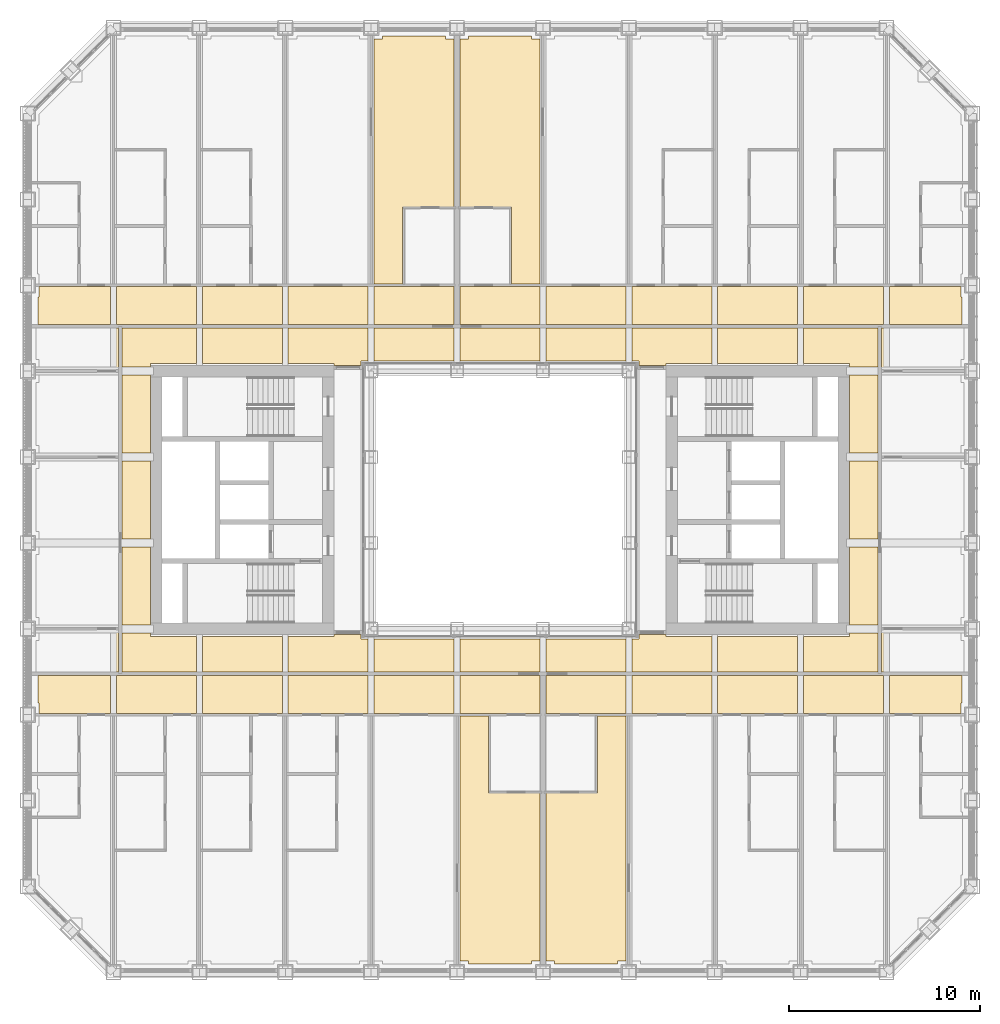
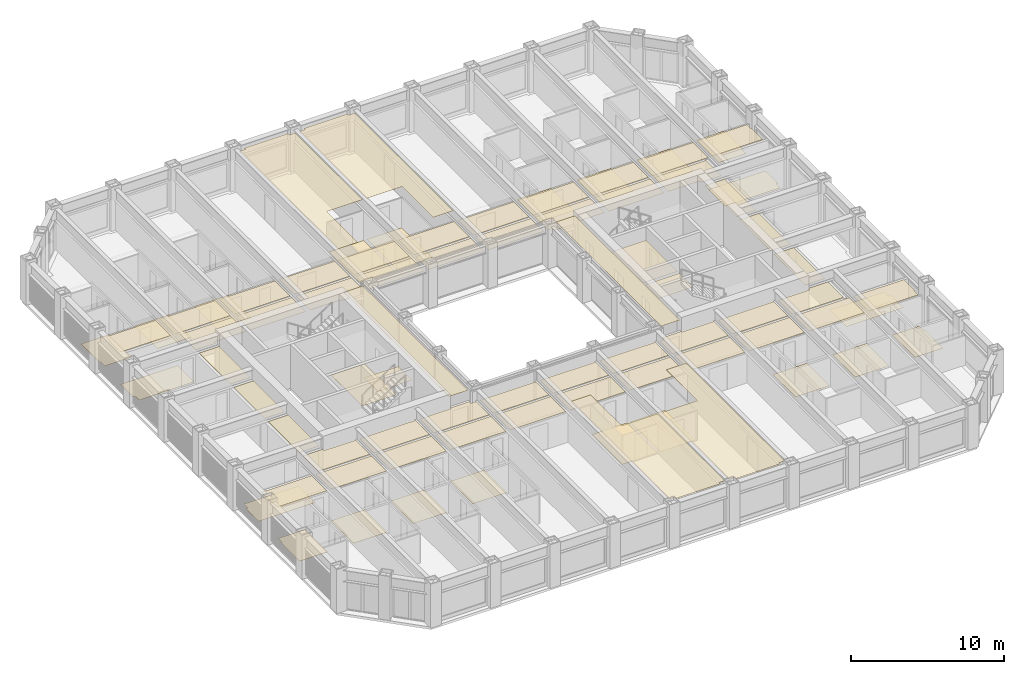
# One storey, part 19 of 21: 4 coverings.
"""IFC4 building model written with IfcOpenShell, lengths in metres."""

from ifc_helpers import new_model, si_unit, direction, frame, origin, place, context, subcontext, project, spatial, line, indexed_curve, outline, extrude, material, layer, layer_set, type_object, element, save


model = new_model("IFC4")

# Units and contexts
model_context = context("Model", 3, precision=1e-05, world=origin(), true_north=direction((0.0, 1.0)))
body_context = subcontext(model_context, "Body", "Model", "MODEL_VIEW")
ifc_project = project(units=[si_unit("LENGTHUNIT", "METRE"), si_unit("AREAUNIT", "SQUARE_METRE"), si_unit("VOLUMEUNIT", "CUBIC_METRE"), si_unit("PLANEANGLEUNIT", "RADIAN"), si_unit("MASSUNIT", "GRAM", prefix="KILO")], contexts=[model_context])

# Site, building, storey
site_placement = place(None, origin())
site = spatial("IfcSite", under=ifc_project, at=site_placement, CompositionType="ELEMENT")
building_placement = place(site_placement, origin())
building = spatial("IfcBuilding", under=site, at=building_placement, Name="Msasa Ring Tower", CompositionType="ELEMENT")
storey_placement = place(building_placement, frame((0.0, 0.0, 82.5)))
storey = spatial("IfcBuildingStorey", under=building, at=storey_placement, Name="L21", CompositionType="ELEMENT", Elevation=82.5)

# Coverings
ifc_material_1 = material(Name="Gypsum plasterboard on a steel suspension grid", Category="steel")
ifc_layer_1 = layer(ifc_material_1, 0.014892578125)
ifc_layer_set_1 = layer_set([ifc_layer_1], Name="C1 SUSPENDED PLASTERBOARD CEILING 15")
covering_type_1 = type_object("IfcCoveringType", Name="C1 SUSPENDED PLASTERBOARD CEILING 15", PredefinedType="CEILING", material=ifc_layer_set_1)
covering_1_placement = place(storey_placement, frame((0.0, 0.0, 2.39990234375)))
element("IfcCovering", 1, at=covering_1_placement, inside=storey, type_object=covering_type_1, Name="Suspended Plasterboard Ceiling 15 circulation L21", PredefinedType="CEILING", context=body_context, shape_type="SweptSolid", body=[
    extrude(outline(indexed_curve([(-24.1494140625, -11.18701171875), (-24.1494140625, -10.6494140625), (-24.199462890625, -10.6494140625), (-24.199462890625, -9.200439453125), (-20.404296875, -9.200439453125), (-20.404296875, -11.18701171875)], segments=[line(1, 2, 3, 4, 5, 6, 1)], self_intersect=False)), origin(), (0.0, 0.0, 1.0), 0.01513671875),
    extrude(outline(indexed_curve([(-24.199462890625, 9.200439453125), (-24.199462890625, 10.6494140625), (-24.1494140625, 10.6494140625), (-24.1494140625, 11.18701171875), (-20.404296875, 11.18701171875), (-20.404296875, 9.200439453125)], segments=[line(1, 2, 3, 4, 5, 6, 1)], self_intersect=False)), origin(), (0.0, 0.0, 1.0), 0.01513671875),
    extrude(outline(indexed_curve([(-20.095703125, -11.18701171875), (-20.095703125, -9.200439453125), (-15.904296875, -9.200439453125), (-15.904296875, -11.18701171875)], segments=[line(1, 2, 3, 4, 1)], self_intersect=False)), origin(), (0.0, 0.0, 1.0), 0.01513671875),
    extrude(outline(indexed_curve([(-20.095703125, 9.200439453125), (-20.095703125, 11.18701171875), (-15.904296875, 11.18701171875), (-15.904296875, 9.200439453125)], segments=[line(1, 2, 3, 4, 1)], self_intersect=False)), origin(), (0.0, 0.0, 1.0), 0.01513671875),
    extrude(outline(indexed_curve([(-19.799560546875, -8.99951171875), (-19.799560546875, -6.960693359375), (-18.300537109375, -6.960693359375), (-18.300537109375, -7.150390625), (-15.904296875, -7.150390625), (-15.904296875, -8.99951171875)], segments=[line(1, 2, 3, 4, 5, 6, 1)], self_intersect=False)), origin(), (0.0, 0.0, 1.0), 0.01513671875),
    extrude(outline(indexed_curve([(-19.799560546875, -2.460693359375), (-18.300537109375, -2.460693359375), (-18.300537109375, -6.539306640625), (-19.799560546875, -6.539306640625)], segments=[line(1, 2, 3, 4, 1)], self_intersect=False)), origin(), (0.0, 0.0, 1.0), 0.01513671875),
    extrude(outline(indexed_curve([(-19.799560546875, 2.039306640625), (-18.300537109375, 2.039306640625), (-18.300537109375, -2.039306640625), (-19.799560546875, -2.039306640625)], segments=[line(1, 2, 3, 4, 1)], self_intersect=False)), origin(), (0.0, 0.0, 1.0), 0.01513671875),
    extrude(outline(indexed_curve([(-19.799560546875, 6.539306640625), (-18.300537109375, 6.539306640625), (-18.300537109375, 2.460693359375), (-19.799560546875, 2.460693359375)], segments=[line(1, 2, 3, 4, 1)], self_intersect=False)), origin(), (0.0, 0.0, 1.0), 0.01513671875),
    extrude(outline(indexed_curve([(-19.799560546875, 8.99951171875), (-15.904296875, 8.99951171875), (-15.904296875, 7.150390625), (-18.300537109375, 7.150390625), (-18.300537109375, 6.960693359375), (-19.799560546875, 6.960693359375)], segments=[line(1, 2, 3, 4, 5, 6, 1)], self_intersect=False)), origin(), (0.0, 0.0, 1.0), 0.01513671875),
    extrude(outline(indexed_curve([(-15.595703125, -11.18701171875), (-15.595703125, -9.200439453125), (-11.404296875, -9.200439453125), (-11.404296875, -11.18701171875)], segments=[line(1, 2, 3, 4, 1)], self_intersect=False)), origin(), (0.0, 0.0, 1.0), 0.01513671875),
    extrude(outline(indexed_curve([(-15.595703125, -8.99951171875), (-15.595703125, -7.150390625), (-11.404296875, -7.150390625), (-11.404296875, -8.99951171875)], segments=[line(1, 2, 3, 4, 1)], self_intersect=False)), origin(), (0.0, 0.0, 1.0), 0.01513671875),
    extrude(outline(indexed_curve([(-11.404296875, 8.99951171875), (-11.404296875, 7.150390625), (-15.595703125, 7.150390625), (-15.595703125, 8.99951171875)], segments=[line(1, 2, 3, 4, 1)], self_intersect=False)), origin(), (0.0, 0.0, 1.0), 0.01513671875),
    extrude(outline(indexed_curve([(-15.595703125, 9.200439453125), (-15.595703125, 11.18701171875), (-11.404296875, 11.18701171875), (-11.404296875, 9.200439453125)], segments=[line(1, 2, 3, 4, 1)], self_intersect=False)), origin(), (0.0, 0.0, 1.0), 0.01513671875),
    extrude(outline(indexed_curve([(-11.87451171875, -3.074462890625), (-11.87451171875, -1.275390625), (-9.300537109375, -1.275390625), (-9.300537109375, -3.074462890625)], segments=[line(1, 2, 3, 4, 1)], self_intersect=False)), origin(), (0.0, 0.0, 1.0), 0.01513671875),
    extrude(outline(indexed_curve([(-11.095703125, -11.18701171875), (-11.095703125, -9.200439453125), (-6.904296875, -9.200439453125), (-6.904296875, -11.18701171875)], segments=[line(1, 2, 3, 4, 1)], self_intersect=False)), origin(), (0.0, 0.0, 1.0), 0.01513671875),
    extrude(outline(indexed_curve([(-11.095703125, -8.99951171875), (-11.095703125, -7.150390625), (-8.699462890625, -7.150390625), (-8.699462890625, -7.050537109375), (-7.280029296875, -7.050537109375), (-7.275390625, -7.275390625), (-6.904296875, -7.280029296875), (-6.904296875, -8.99951171875)], segments=[line(1, 2, 3, 4, 5, 6, 7, 8, 1)], self_intersect=False)), origin(), (0.0, 0.0, 1.0), 0.01513671875),
    extrude(outline(indexed_curve([(-6.904296875, 8.99951171875), (-6.904296875, 7.280029296875), (-7.275390625, 7.275390625), (-7.280029296875, 7.050537109375), (-8.699462890625, 7.050537109375), (-8.699462890625, 7.150390625), (-11.095703125, 7.150390625), (-11.095703125, 8.99951171875)], segments=[line(1, 2, 3, 4, 5, 6, 7, 8, 1)], self_intersect=False)), origin(), (0.0, 0.0, 1.0), 0.01513671875),
    extrude(outline(indexed_curve([(-11.095703125, 9.200439453125), (-11.095703125, 11.18701171875), (-6.904296875, 11.18701171875), (-6.904296875, 9.200439453125)], segments=[line(1, 2, 3, 4, 1)], self_intersect=False)), origin(), (0.0, 0.0, 1.0), 0.01513671875),
    extrude(outline(indexed_curve([(-6.595703125, -11.18701171875), (-6.595703125, -9.200439453125), (-2.404296875, -9.200439453125), (-2.404296875, -11.18701171875)], segments=[line(1, 2, 3, 4, 1)], self_intersect=False)), origin(), (0.0, 0.0, 1.0), 0.01513671875),
    extrude(outline(indexed_curve([(-6.595703125, -8.99951171875), (-6.595703125, -7.280029296875), (-2.404296875, -7.280029296875), (-2.404296875, -8.99951171875)], segments=[line(1, 2, 3, 4, 1)], self_intersect=False)), origin(), (0.0, 0.0, 1.0), 0.01513671875),
    extrude(outline(indexed_curve([(-2.404296875, 8.99951171875), (-2.404296875, 7.280029296875), (-6.595703125, 7.280029296875), (-6.595703125, 8.99951171875)], segments=[line(1, 2, 3, 4, 1)], self_intersect=False)), origin(), (0.0, 0.0, 1.0), 0.01513671875),
    extrude(outline(indexed_curve([(-6.595703125, 9.200439453125), (-6.595703125, 11.18701171875), (-2.404296875, 11.18701171875), (-2.404296875, 9.200439453125)], segments=[line(1, 2, 3, 4, 1)], self_intersect=False)), origin(), (0.0, 0.0, 1.0), 0.01513671875),
    extrude(outline(indexed_curve([(-2.095703125, -11.18701171875), (-2.095703125, -9.200439453125), (2.095703125, -9.200439453125), (2.095703125, -11.18701171875)], segments=[line(1, 2, 3, 4, 1)], self_intersect=False)), origin(), (0.0, 0.0, 1.0), 0.01513671875),
    extrude(outline(indexed_curve([(-2.095703125, -8.99951171875), (-2.095703125, -7.280029296875), (2.095703125, -7.280029296875), (2.095703125, -8.99951171875)], segments=[line(1, 2, 3, 4, 1)], self_intersect=False)), origin(), (0.0, 0.0, 1.0), 0.01513671875),
    extrude(outline(indexed_curve([(2.095703125, 8.99951171875), (2.095703125, 7.280029296875), (-2.095703125, 7.280029296875), (-2.095703125, 8.99951171875)], segments=[line(1, 2, 3, 4, 1)], self_intersect=False)), origin(), (0.0, 0.0, 1.0), 0.01513671875),
    extrude(outline(indexed_curve([(-2.095703125, 9.200439453125), (-2.095703125, 11.18701171875), (2.095703125, 11.18701171875), (2.095703125, 9.200439453125)], segments=[line(1, 2, 3, 4, 1)], self_intersect=False)), origin(), (0.0, 0.0, 1.0), 0.01513671875),
    extrude(outline(indexed_curve([(2.404296875, -11.18701171875), (2.404296875, -9.200439453125), (6.595703125, -9.200439453125), (6.595703125, -11.18701171875)], segments=[line(1, 2, 3, 4, 1)], self_intersect=False)), origin(), (0.0, 0.0, 1.0), 0.01513671875),
    extrude(outline(indexed_curve([(2.404296875, -8.99951171875), (2.404296875, -7.280029296875), (6.595703125, -7.280029296875), (6.595703125, -8.99951171875)], segments=[line(1, 2, 3, 4, 1)], self_intersect=False)), origin(), (0.0, 0.0, 1.0), 0.01513671875),
    extrude(outline(indexed_curve([(6.595703125, 8.99951171875), (6.595703125, 7.280029296875), (2.404296875, 7.280029296875), (2.404296875, 8.99951171875)], segments=[line(1, 2, 3, 4, 1)], self_intersect=False)), origin(), (0.0, 0.0, 1.0), 0.01513671875),
    extrude(outline(indexed_curve([(2.404296875, 9.200439453125), (2.404296875, 11.18701171875), (6.595703125, 11.18701171875), (6.595703125, 9.200439453125)], segments=[line(1, 2, 3, 4, 1)], self_intersect=False)), origin(), (0.0, 0.0, 1.0), 0.01513671875),
    extrude(outline(indexed_curve([(6.904296875, -11.18701171875), (6.904296875, -9.200439453125), (11.095703125, -9.200439453125), (11.095703125, -11.18701171875)], segments=[line(1, 2, 3, 4, 1)], self_intersect=False)), origin(), (0.0, 0.0, 1.0), 0.01513671875),
    extrude(outline(indexed_curve([(6.904296875, -8.99951171875), (6.904296875, -7.280029296875), (7.275390625, -7.275390625), (7.280029296875, -7.050537109375), (8.699462890625, -7.050537109375), (8.699462890625, -7.150390625), (11.095703125, -7.150390625), (11.095703125, -8.99951171875)], segments=[line(1, 2, 3, 4, 5, 6, 7, 8, 1)], self_intersect=False)), origin(), (0.0, 0.0, 1.0), 0.01513671875),
    extrude(outline(indexed_curve([(11.095703125, 8.99951171875), (11.095703125, 7.150390625), (8.699462890625, 7.150390625), (8.699462890625, 7.050537109375), (7.280029296875, 7.050537109375), (7.275390625, 7.275390625), (6.904296875, 7.280029296875), (6.904296875, 8.99951171875)], segments=[line(1, 2, 3, 4, 5, 6, 7, 8, 1)], self_intersect=False)), origin(), (0.0, 0.0, 1.0), 0.01513671875),
    extrude(outline(indexed_curve([(6.904296875, 9.200439453125), (6.904296875, 11.18701171875), (11.095703125, 11.18701171875), (11.095703125, 9.200439453125)], segments=[line(1, 2, 3, 4, 1)], self_intersect=False)), origin(), (0.0, 0.0, 1.0), 0.01513671875),
    extrude(outline(indexed_curve([(9.300537109375, -3.074462890625), (9.300537109375, -1.275390625), (11.87451171875, -1.275390625), (11.87451171875, -3.074462890625)], segments=[line(1, 2, 3, 4, 1)], self_intersect=False)), origin(), (0.0, 0.0, 1.0), 0.01513671875),
    extrude(outline(indexed_curve([(9.300537109375, -1.0244140625), (9.300537109375, 3.074462890625), (11.87451171875, 3.074462890625), (11.87451171875, -1.0244140625)], segments=[line(1, 2, 3, 4, 1)], self_intersect=False)), origin(), (0.0, 0.0, 1.0), 0.01513671875),
    extrude(outline(indexed_curve([(11.404296875, -11.18701171875), (11.404296875, -9.200439453125), (15.595703125, -9.200439453125), (15.595703125, -11.18701171875)], segments=[line(1, 2, 3, 4, 1)], self_intersect=False)), origin(), (0.0, 0.0, 1.0), 0.01513671875),
    extrude(outline(indexed_curve([(11.404296875, -8.99951171875), (11.404296875, -7.150390625), (15.595703125, -7.150390625), (15.595703125, -8.99951171875)], segments=[line(1, 2, 3, 4, 1)], self_intersect=False)), origin(), (0.0, 0.0, 1.0), 0.01513671875),
    extrude(outline(indexed_curve([(15.595703125, 8.99951171875), (15.595703125, 7.150390625), (11.404296875, 7.150390625), (11.404296875, 8.99951171875)], segments=[line(1, 2, 3, 4, 1)], self_intersect=False)), origin(), (0.0, 0.0, 1.0), 0.01513671875),
    extrude(outline(indexed_curve([(11.404296875, 9.200439453125), (11.404296875, 11.18701171875), (15.595703125, 11.18701171875), (15.595703125, 9.200439453125)], segments=[line(1, 2, 3, 4, 1)], self_intersect=False)), origin(), (0.0, 0.0, 1.0), 0.01513671875),
    extrude(outline(indexed_curve([(15.904296875, -11.18701171875), (15.904296875, -9.200439453125), (20.095703125, -9.200439453125), (20.095703125, -11.18701171875)], segments=[line(1, 2, 3, 4, 1)], self_intersect=False)), origin(), (0.0, 0.0, 1.0), 0.01513671875),
    extrude(outline(indexed_curve([(15.904296875, -8.99951171875), (15.904296875, -7.150390625), (18.300537109375, -7.150390625), (18.300537109375, -6.960693359375), (19.799560546875, -6.960693359375), (19.799560546875, -8.99951171875)], segments=[line(1, 2, 3, 4, 5, 6, 1)], self_intersect=False)), origin(), (0.0, 0.0, 1.0), 0.01513671875),
    extrude(outline(indexed_curve([(19.799560546875, 8.99951171875), (19.799560546875, 6.960693359375), (18.300537109375, 6.960693359375), (18.300537109375, 7.150390625), (15.904296875, 7.150390625), (15.904296875, 8.99951171875)], segments=[line(1, 2, 3, 4, 5, 6, 1)], self_intersect=False)), origin(), (0.0, 0.0, 1.0), 0.01513671875),
    extrude(outline(indexed_curve([(15.904296875, 9.200439453125), (15.904296875, 11.18701171875), (20.095703125, 11.18701171875), (20.095703125, 9.200439453125)], segments=[line(1, 2, 3, 4, 1)], self_intersect=False)), origin(), (0.0, 0.0, 1.0), 0.01513671875),
    extrude(outline(indexed_curve([(19.799560546875, -6.539306640625), (18.300537109375, -6.539306640625), (18.300537109375, -2.460693359375), (19.799560546875, -2.460693359375)], segments=[line(1, 2, 3, 4, 1)], self_intersect=False)), origin(), (0.0, 0.0, 1.0), 0.01513671875),
    extrude(outline(indexed_curve([(19.799560546875, -2.039306640625), (18.300537109375, -2.039306640625), (18.300537109375, 2.039306640625), (19.799560546875, 2.039306640625)], segments=[line(1, 2, 3, 4, 1)], self_intersect=False)), origin(), (0.0, 0.0, 1.0), 0.01513671875),
    extrude(outline(indexed_curve([(19.799560546875, 2.460693359375), (18.300537109375, 2.460693359375), (18.300537109375, 6.539306640625), (19.799560546875, 6.539306640625)], segments=[line(1, 2, 3, 4, 1)], self_intersect=False)), origin(), (0.0, 0.0, 1.0), 0.01513671875),
    extrude(outline(indexed_curve([(20.404296875, -11.18701171875), (20.404296875, -9.200439453125), (24.199462890625, -9.200439453125), (24.199462890625, -10.6494140625), (24.1494140625, -10.6494140625), (24.1494140625, -11.18701171875)], segments=[line(1, 2, 3, 4, 5, 6, 1)], self_intersect=False)), origin(), (0.0, 0.0, 1.0), 0.01513671875),
    extrude(outline(indexed_curve([(20.404296875, 9.200439453125), (20.404296875, 11.18701171875), (24.1494140625, 11.18701171875), (24.1494140625, 10.6494140625), (24.199462890625, 10.6494140625), (24.199462890625, 9.200439453125)], segments=[line(1, 2, 3, 4, 5, 6, 1)], self_intersect=False)), origin(), (0.0, 0.0, 1.0), 0.01513671875),
])
covering_2_placement = place(storey_placement, frame((0.0, 0.0, 3.175048828125)))
element("IfcCovering", 2, at=covering_2_placement, inside=storey, type_object=covering_type_1, Name="Suspended Plasterboard Ceiling 15 public rooms L21", PredefinedType="CEILING", context=body_context, shape_type="SweptSolid", body=[
    extrude(outline(indexed_curve([(-8.699462890625, -6.849609375), (-8.699462890625, 6.849609375), (-7.280029296875, 6.849609375), (-7.280029296875, -6.849609375)], segments=[line(1, 2, 3, 4, 1)], self_intersect=False)), origin(), (0.0, 0.0, 1.0), 0.014892578125),
    extrude(outline(indexed_curve([(-5.1005859375, 11.31298828125), (-6.595703125, 11.31298828125), (-6.595703125, 24.1494140625), (-6.1494140625, 24.1494140625), (-6.1494140625, 24.299560546875), (-2.8505859375, 24.299560546875), (-2.8505859375, 24.1494140625), (-2.404296875, 24.1494140625), (-2.404296875, 15.363037109375), (-5.1005859375, 15.363037109375)], segments=[line(1, 2, 3, 4, 5, 6, 7, 8, 9, 10, 1)], self_intersect=False)), origin(), (0.0, 0.0, 1.0), 0.014892578125),
    extrude(outline(indexed_curve([(2.095703125, -15.363037109375), (2.095703125, -24.1494140625), (1.6494140625, -24.1494140625), (1.6494140625, -24.299560546875), (-1.6494140625, -24.299560546875), (-1.6494140625, -24.1494140625), (-2.095703125, -24.1494140625), (-2.095703125, -11.31298828125), (-0.6005859375, -11.31298828125), (-0.6005859375, -15.363037109375)], segments=[line(1, 2, 3, 4, 5, 6, 7, 8, 9, 10, 1)], self_intersect=False)), origin(), (0.0, 0.0, 1.0), 0.014892578125),
    extrude(outline(indexed_curve([(1.6494140625, 24.299560546875), (1.6494140625, 24.1494140625), (2.095703125, 24.1494140625), (2.095703125, 11.31298828125), (0.6005859375, 11.31298828125), (0.6005859375, 15.363037109375), (-2.095703125, 15.363037109375), (-2.095703125, 24.1494140625), (-1.6494140625, 24.1494140625), (-1.6494140625, 24.299560546875)], segments=[line(1, 2, 3, 4, 5, 6, 7, 8, 9, 10, 1)], self_intersect=False)), origin(), (0.0, 0.0, 1.0), 0.014892578125),
    extrude(outline(indexed_curve([(5.1005859375, -11.31298828125), (6.595703125, -11.31298828125), (6.595703125, -24.1494140625), (6.1494140625, -24.1494140625), (6.1494140625, -24.299560546875), (2.8505859375, -24.299560546875), (2.8505859375, -24.1494140625), (2.404296875, -24.1494140625), (2.404296875, -15.363037109375), (5.1005859375, -15.363037109375)], segments=[line(1, 2, 3, 4, 5, 6, 7, 8, 9, 10, 1)], self_intersect=False)), origin(), (0.0, 0.0, 1.0), 0.014892578125),
    extrude(outline(indexed_curve([(8.699462890625, -6.849609375), (7.280029296875, -6.849609375), (7.280029296875, 6.849609375), (8.699462890625, 6.849609375)], segments=[line(1, 2, 3, 4, 1)], self_intersect=False)), origin(), (0.0, 0.0, 1.0), 0.014892578125),
])
ifc_material_2 = material(Name="Porcelain floor tiles in adhesive", Category="ceramic")
ifc_layer_2 = layer(ifc_material_2, 0.010009765625)
ifc_layer_set_2 = layer_set([ifc_layer_2], Name="F4 PORCELAIN TILE ON ADHESIVE 10")
covering_type_2 = type_object("IfcCoveringType", Name="F4 PORCELAIN TILE ON ADHESIVE 10", PredefinedType="FLOORING", material=ifc_layer_set_2)
covering_3_placement = place(storey_placement, origin())
element("IfcCovering", 3, at=covering_3_placement, inside=storey, type_object=covering_type_2, Name="Porcelain Tile On Adhesive 10 L21", PredefinedType="FLOORING", context=body_context, shape_type="SweptSolid", body=[
    extrude(outline(indexed_curve([(-24.1494140625, 6.83056640625), (-24.1494140625, 7.3505859375), (-24.299560546875, 7.3505859375), (-24.299560546875, 8.99951171875), (-20.00048828125, 8.99951171875), (-20.00048828125, 6.83056640625)], segments=[line(1, 2, 3, 4, 5, 6, 1)], self_intersect=False)), origin(), (0.0, 0.0, 1.0), 0.010009765625),
    extrude(outline(indexed_curve([(-22.12548828125, -11.31298828125), (-22.12548828125, -14.2744140625), (-24.239501953125, -14.2744140625), (-24.239501953125, -11.8505859375), (-24.1494140625, -11.8505859375), (-24.1494140625, -11.31298828125)], segments=[line(1, 2, 3, 4, 5, 6, 1)], self_intersect=False)), origin(), (0.0, 0.0, 1.0), 0.010009765625),
    extrude(outline(indexed_curve([(-24.1494140625, 11.31298828125), (-24.1494140625, 11.8505859375), (-24.239501953125, 11.8505859375), (-24.239501953125, 14.2744140625), (-22.12548828125, 14.2744140625), (-22.12548828125, 11.31298828125)], segments=[line(1, 2, 3, 4, 5, 6, 1)], self_intersect=False)), origin(), (0.0, 0.0, 1.0), 0.010009765625),
    extrude(outline(indexed_curve([(-17.62548828125, -11.31298828125), (-17.62548828125, -14.2744140625), (-20.18701171875, -14.2744140625), (-20.18701171875, -11.31298828125)], segments=[line(1, 2, 3, 4, 1)], self_intersect=False)), origin(), (0.0, 0.0, 1.0), 0.010009765625),
    extrude(outline(indexed_curve([(-20.18701171875, 11.31298828125), (-20.18701171875, 14.2744140625), (-17.62548828125, 14.2744140625), (-17.62548828125, 11.31298828125)], segments=[line(1, 2, 3, 4, 1)], self_intersect=False)), origin(), (0.0, 0.0, 1.0), 0.010009765625),
    extrude(outline(indexed_curve([(-13.12548828125, -11.31298828125), (-13.12548828125, -14.2744140625), (-15.68701171875, -14.2744140625), (-15.68701171875, -11.31298828125)], segments=[line(1, 2, 3, 4, 1)], self_intersect=False)), origin(), (0.0, 0.0, 1.0), 0.010009765625),
    extrude(outline(indexed_curve([(-15.68701171875, 11.31298828125), (-15.68701171875, 14.2744140625), (-13.12548828125, 14.2744140625), (-13.12548828125, 11.31298828125)], segments=[line(1, 2, 3, 4, 1)], self_intersect=False)), origin(), (0.0, 0.0, 1.0), 0.010009765625),
    extrude(outline(indexed_curve([(-8.62548828125, -11.31298828125), (-8.62548828125, -14.2744140625), (-11.18701171875, -14.2744140625), (-11.18701171875, -11.31298828125)], segments=[line(1, 2, 3, 4, 1)], self_intersect=False)), origin(), (0.0, 0.0, 1.0), 0.010009765625),
    extrude(outline(indexed_curve([(8.62548828125, 11.31298828125), (8.62548828125, 14.2744140625), (11.18701171875, 14.2744140625), (11.18701171875, 11.31298828125)], segments=[line(1, 2, 3, 4, 1)], self_intersect=False)), origin(), (0.0, 0.0, 1.0), 0.010009765625),
    extrude(outline(indexed_curve([(15.68701171875, -11.31298828125), (15.68701171875, -14.2744140625), (13.12548828125, -14.2744140625), (13.12548828125, -11.31298828125)], segments=[line(1, 2, 3, 4, 1)], self_intersect=False)), origin(), (0.0, 0.0, 1.0), 0.010009765625),
    extrude(outline(indexed_curve([(13.12548828125, 11.31298828125), (13.12548828125, 14.2744140625), (15.68701171875, 14.2744140625), (15.68701171875, 11.31298828125)], segments=[line(1, 2, 3, 4, 1)], self_intersect=False)), origin(), (0.0, 0.0, 1.0), 0.010009765625),
    extrude(outline(indexed_curve([(20.18701171875, -11.31298828125), (20.18701171875, -14.2744140625), (17.62548828125, -14.2744140625), (17.62548828125, -11.31298828125)], segments=[line(1, 2, 3, 4, 1)], self_intersect=False)), origin(), (0.0, 0.0, 1.0), 0.010009765625),
    extrude(outline(indexed_curve([(17.62548828125, 11.31298828125), (17.62548828125, 14.2744140625), (20.18701171875, 14.2744140625), (20.18701171875, 11.31298828125)], segments=[line(1, 2, 3, 4, 1)], self_intersect=False)), origin(), (0.0, 0.0, 1.0), 0.010009765625),
    extrude(outline(indexed_curve([(20.00048828125, 8.99951171875), (24.299560546875, 8.99951171875), (24.299560546875, 7.3505859375), (24.1494140625, 7.3505859375), (24.1494140625, 6.83056640625), (20.00048828125, 6.83056640625)], segments=[line(1, 2, 3, 4, 5, 6, 1)], self_intersect=False)), origin(), (0.0, 0.0, 1.0), 0.010009765625),
    extrude(outline(indexed_curve([(24.1494140625, -11.31298828125), (24.1494140625, -11.8505859375), (24.239501953125, -11.8505859375), (24.239501953125, -14.2744140625), (22.12548828125, -14.2744140625), (22.12548828125, -11.31298828125)], segments=[line(1, 2, 3, 4, 5, 6, 1)], self_intersect=False)), origin(), (0.0, 0.0, 1.0), 0.010009765625),
    extrude(outline(indexed_curve([(24.239501953125, 11.8505859375), (24.1494140625, 11.8505859375), (24.1494140625, 11.31298828125), (22.12548828125, 11.31298828125), (22.12548828125, 14.2744140625), (24.239501953125, 14.2744140625)], segments=[line(1, 2, 3, 4, 5, 6, 1)], self_intersect=False)), origin(), (0.0, 0.0, 1.0), 0.010009765625),
])
ifc_material_3 = material(Name="Welded vinyl safety sheet flooring", Category="vinyl")
ifc_layer_3 = layer(ifc_material_3, 0.0029296875)
ifc_layer_set_3 = layer_set([ifc_layer_3], Name="F5 RESILIENT SHEET FLOORING 3")
covering_type_3 = type_object("IfcCoveringType", Name="F5 RESILIENT SHEET FLOORING 3", PredefinedType="FLOORING", material=ifc_layer_set_3)
covering_4_placement = place(storey_placement, origin())
element("IfcCovering", 4, at=covering_4_placement, inside=storey, type_object=covering_type_3, Name="Resilient Sheet Flooring 3 L21", PredefinedType="FLOORING", context=body_context, shape_type="SweptSolid", body=[
    extrude(outline(indexed_curve([(-20.00048828125, -8.99951171875), (-24.299560546875, -8.99951171875), (-24.299560546875, -7.3505859375), (-24.1494140625, -7.3505859375), (-24.1494140625, -6.805419921875), (-20.00048828125, -6.805419921875)], segments=[line(1, 2, 3, 4, 5, 6, 1)], self_intersect=False)), origin(), (0.0, 0.0, 1.0), 0.0029296875),
    extrude(outline(indexed_curve([(-11.87451171875, 3.074462890625), (-9.300537109375, 3.074462890625), (-9.300537109375, -1.0244140625), (-11.87451171875, -1.0244140625)], segments=[line(1, 2, 3, 4, 1)], self_intersect=False)), origin(), (0.0, 0.0, 1.0), 0.0029296875),
    extrude(outline(indexed_curve([(-2.37548828125, 15.261962890625), (-2.37548828125, 11.31298828125), (-4.99951171875, 11.31298828125), (-4.99951171875, 15.261962890625)], segments=[line(1, 2, 3, 4, 1)], self_intersect=False)), origin(), (0.0, 0.0, 1.0), 0.0029296875),
    extrude(outline(indexed_curve([(0.49951171875, 15.261962890625), (0.49951171875, 11.31298828125), (-2.12451171875, 11.31298828125), (-2.12451171875, 15.261962890625)], segments=[line(1, 2, 3, 4, 1)], self_intersect=False)), origin(), (0.0, 0.0, 1.0), 0.0029296875),
    extrude(outline(indexed_curve([(-0.49951171875, -15.261962890625), (-0.49951171875, -11.31298828125), (2.12451171875, -11.31298828125), (2.12451171875, -15.261962890625)], segments=[line(1, 2, 3, 4, 1)], self_intersect=False)), origin(), (0.0, 0.0, 1.0), 0.0029296875),
    extrude(outline(indexed_curve([(4.99951171875, -11.31298828125), (4.99951171875, -15.261962890625), (2.37548828125, -15.261962890625), (2.37548828125, -11.31298828125)], segments=[line(1, 2, 3, 4, 1)], self_intersect=False)), origin(), (0.0, 0.0, 1.0), 0.0029296875),
    extrude(outline(indexed_curve([(20.00048828125, -8.99951171875), (20.00048828125, -6.805419921875), (24.1494140625, -6.805419921875), (24.1494140625, -7.3505859375), (24.299560546875, -7.3505859375), (24.299560546875, -8.99951171875)], segments=[line(1, 2, 3, 4, 5, 6, 1)], self_intersect=False)), origin(), (0.0, 0.0, 1.0), 0.0029296875),
])

save(model, "model.ifc")
